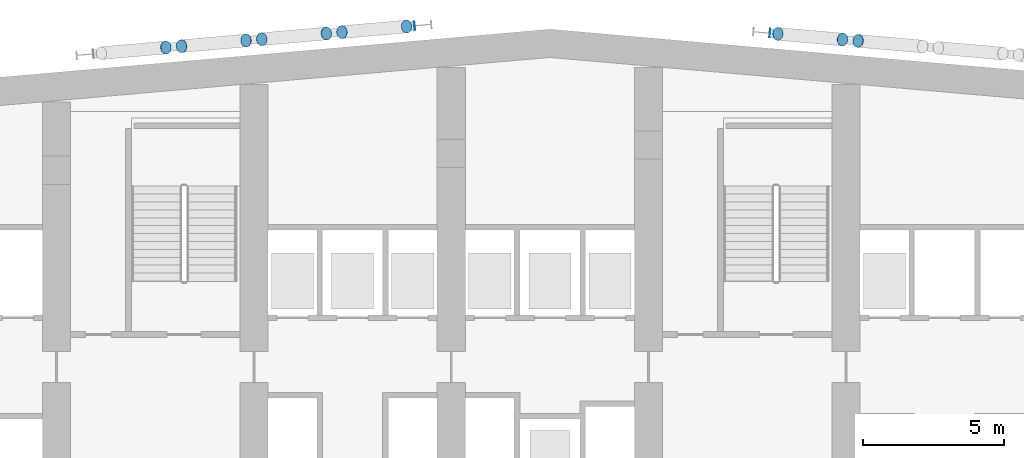
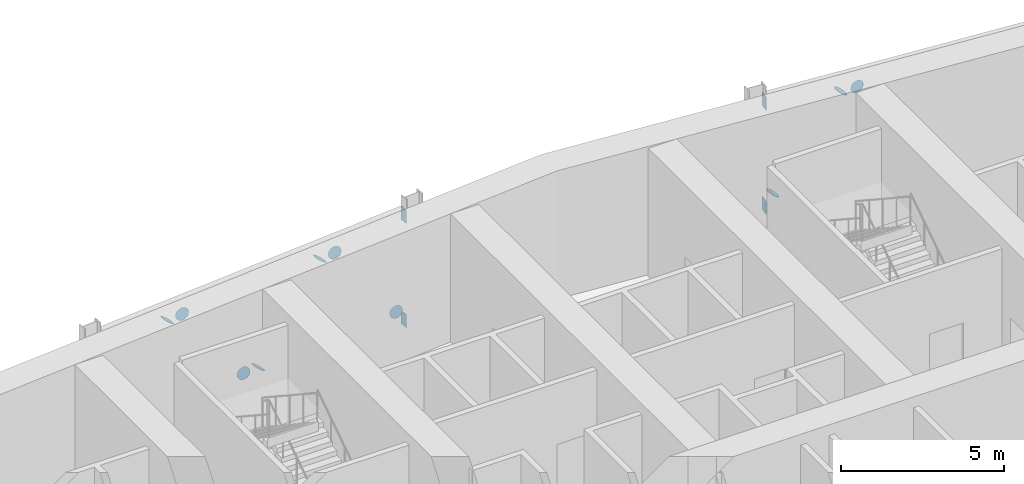
# One storey, part 32 of 42: 14 discrete accessories.
"""IFC4 building model written with IfcOpenShell, lengths in metres."""

from ifc_helpers import new_model, si_unit, direction, frame, origin, origin_2d, place, context, subcontext, project, spatial, rectangle, circle, extrude, material, material_profile, profile_set, type_object, element, save


model = new_model("IFC4")

# Units and contexts
model_context = context("Model", 3, precision=1e-05, world=origin(), true_north=direction((0.0, 1.0)))
body_context = subcontext(model_context, "Body", "Model", "MODEL_VIEW")
ifc_project = project(units=[si_unit("LENGTHUNIT", "METRE"), si_unit("AREAUNIT", "SQUARE_METRE"), si_unit("VOLUMEUNIT", "CUBIC_METRE"), si_unit("PLANEANGLEUNIT", "RADIAN"), si_unit("MASSUNIT", "GRAM", prefix="KILO")], contexts=[model_context])

# Site, building, storey
site_placement = place(None, origin())
site = spatial("IfcSite", under=ifc_project, at=site_placement, CompositionType="ELEMENT")
building_placement = place(site_placement, origin())
building = spatial("IfcBuilding", under=site, at=building_placement, Name="Wharfspan Tower", CompositionType="ELEMENT")
storey_placement = place(building_placement, frame((0.0, 0.0, 147.100098)))
storey = spatial("IfcBuildingStorey", under=building, at=storey_placement, Name="L35", CompositionType="ELEMENT", Elevation=147.100098)

# Discrete accessories
ifc_material_1 = material(Name="Steel S460NH", Category="steel")
ifc_material_profile_1 = material_profile(ifc_material_1, circle(Radius=0.228516, at=origin_2d()))
ifc_profile_set_1 = profile_set([ifc_material_profile_1], Name="Steel S460NH")
discrete_accessory_type_1 = type_object("IfcDiscreteAccessoryType", Name="End plate CHS 457x16", PredefinedType="BRACKET", material=ifc_profile_set_1)
for number, where, z_axis, x_axis, name in (
    (1, (51.435303, 50.51416, 3.764893), (-0.587466, 0.048956, 0.807766), (-0.083046, -0.996542, 0.0), "End plate CHS 457x16"),
    (2, (50.879395, 50.562744, 3.772949), (-0.587466, 0.048956, -0.807766), (-0.083046, -0.996542, 0.0), "End plate CHS 457x16"),
    (3, (48.589844, 50.763184, 0.63501), (-0.603154, 0.048252, -0.796164), (-0.079745, -0.996819, 0.0), "End plate CHS 457x16"),
    (4, (35.41626, 51.026123, 0.626953), (-0.603154, -0.048252, 0.796164), (0.079745, -0.996819, 0.0), "End plate CHS 457x16"),
    (5, (33.126465, 50.825684, 3.764893), (-0.587466, -0.048956, 0.807766), (0.083046, -0.996542, 0.0), "End plate CHS 457x16"),
    (6, (32.570557, 50.7771, 3.772949), (-0.587466, -0.048956, -0.807766), (0.083046, -0.996542, 0.0), "End plate CHS 457x16"),
    (7, (30.281006, 50.576904, 0.63501), (-0.587466, -0.048956, -0.807766), (0.083046, -0.996542, 0.0), "End plate CHS 457x16"),
    (8, (29.724854, 50.528076, 0.626953), (-0.587466, -0.048956, 0.807766), (0.083046, -0.996542, 0.0), "End plate CHS 457x16"),
    (9, (27.435303, 50.327881, 3.764893), (-0.587466, -0.048956, 0.807766), (0.083046, -0.996542, 0.0), "End plate CHS 457x16"),
    (10, (26.879395, 50.279297, 3.772949), (-0.587466, -0.048956, -0.807766), (0.083046, -0.996542, 0.0), "End plate CHS 457x16"),
):
    element("IfcDiscreteAccessory", number, at=place(storey_placement, frame(where, z_axis=z_axis, x_axis=x_axis)), inside=storey, type_object=discrete_accessory_type_1, Name=name, PredefinedType="BRACKET", context=body_context, shape_type="SweptSolid", body=[
        extrude(circle(Radius=0.228516, at=origin_2d()), origin(), (0.0, 0.0, 1.0), 0.01001),
    ])
ifc_material_2 = material(Name="Steel S355J2", Category="steel")
ifc_material_profile_2 = material_profile(ifc_material_2, rectangle(XDim=0.300049, YDim=0.5, at=origin_2d()))
ifc_profile_set_2 = profile_set([ifc_material_profile_2], Name="Steel S355J2")
discrete_accessory_type_2 = type_object("IfcDiscreteAccessoryType", Name="End plate HEB 500", PredefinedType="BRACKET", material=ifc_profile_set_2)
for number, where, z_axis, x_axis, name in (
    (11, (48.308838, 50.787598, 4.149902), (-0.995275, 0.0971, 0.0), (-0.0971, -0.995275, 0.0), "End plate HEB 500"),
    (12, (48.308838, 50.787598, 0.25), (-0.995275, 0.0971, 0.0), (-0.0971, -0.995275, 0.0), "End plate HEB 500"),
    (13, (35.701172, 51.051025, 4.149902), (-0.995275, -0.0971, 0.0), (0.0971, -0.995275, 0.0), "End plate HEB 500"),
    (14, (35.701172, 51.051025, 0.25), (-0.995275, -0.0971, 0.0), (0.0971, -0.995275, 0.0), "End plate HEB 500"),
):
    element("IfcDiscreteAccessory", number, at=place(storey_placement, frame(where, z_axis=z_axis, x_axis=x_axis)), inside=storey, type_object=discrete_accessory_type_2, Name=name, PredefinedType="BRACKET", context=body_context, shape_type="SweptSolid", body=[
        extrude(rectangle(XDim=0.300049, YDim=0.5, at=origin_2d()), origin(), (0.0, 0.0, 1.0), 0.01001),
    ])

save(model, "model.ifc")
